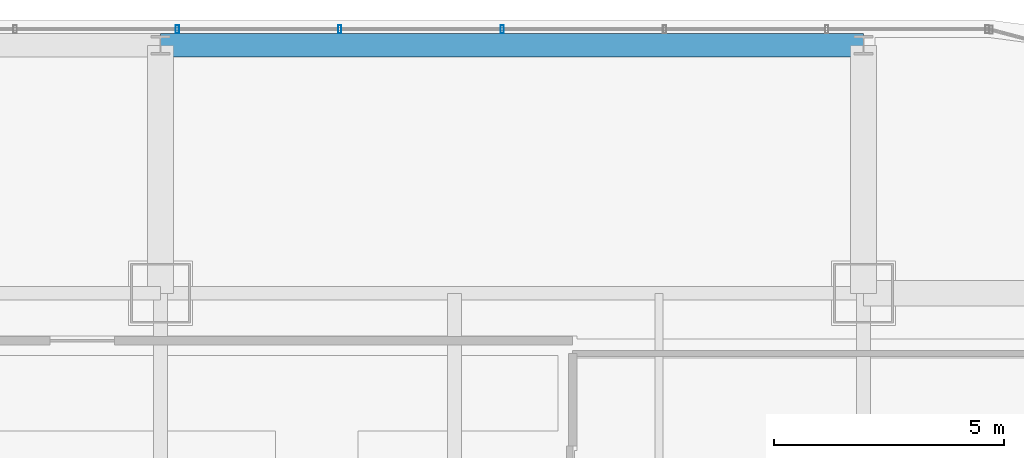
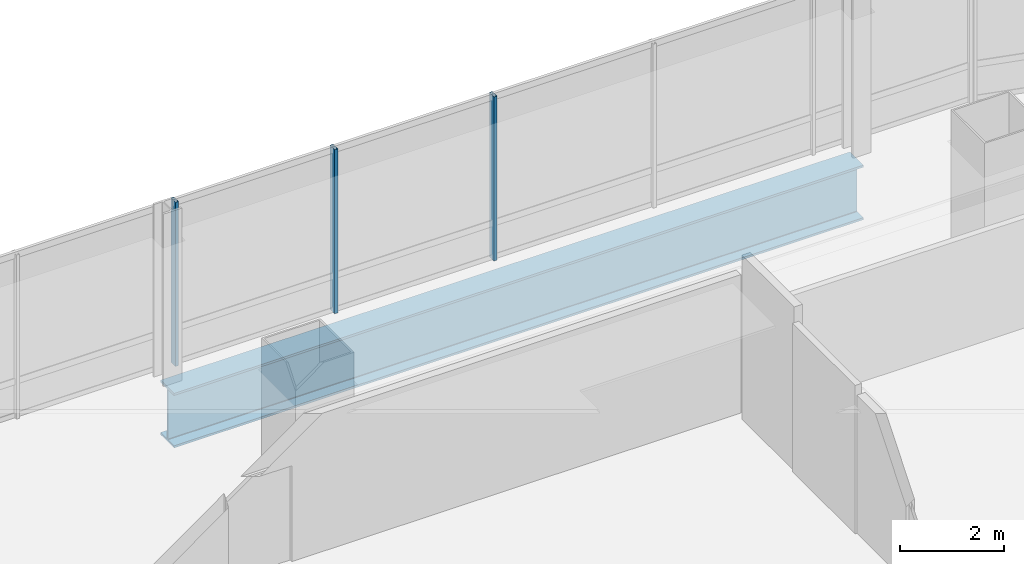
# One storey, part 29 of 42: 3 members, 1 beam, 1 element without a shape of its own.
"""IFC4 building model written with IfcOpenShell, lengths in metres."""

import ifcopenshell
import ifcopenshell.guid

model = None  # the IFC model being written
_history = None  # IfcOwnerHistory: only IFC2X3 demands one
_inside = {}  # id of a spatial element -> (the spatial element, [elements in it])
_under = {}  # id of a project, library or spatial element -> (it, [spatial elements below it])
_declared = {}  # id of a project -> (the project, [libraries it declares])
_typed = {}  # id of a type object -> (the type object, [elements of that type])
_made_of = {}  # id of a material, layer set ... -> (it, [elements and type objects made of it])


def new_model(schema):
    """Start an empty IFC model of exactly this schema.

    Asked for "IFC4X3", IfcOpenShell would pick the latest addendum, in which some entities
    have other attributes; the version numbers below select the first issue.
    IFC2X3 requires an IfcOwnerHistory on every rooted entity: one is made here for all.
    """
    global model, _history
    if schema == "IFC4X3":
        model = ifcopenshell.file(schema_version=(4, 3, 0, 0))
    else:
        model = ifcopenshell.file(schema=schema)
    _inside.clear()
    _under.clear()
    _declared.clear()
    _typed.clear()
    _made_of.clear()
    _history = None
    if model.schema == "IFC2X3":
        org = make("IfcOrganization", Name="unknown")
        user = make(
            "IfcPersonAndOrganization",
            ThePerson=make("IfcPerson", FamilyName="unknown"),
            TheOrganization=org,
        )
        app = make(
            "IfcApplication",
            ApplicationDeveloper=org,
            Version="unknown",
            ApplicationFullName="unknown",
            ApplicationIdentifier="unknown",
        )
        _history = make(
            "IfcOwnerHistory",
            OwningUser=user,
            OwningApplication=app,
            ChangeAction="ADDED",
            CreationDate=0,
        )
    return model


def make(cls, **values):
    """One entity of the class cls with the attributes given. An attribute that is None is left unset."""
    return model.create_entity(
        cls, **{name: value for name, value in values.items() if value is not None}
    )


def rooted(cls, **values):
    """An entity with a GlobalId (a new one), such as an element, a storey or a relation."""
    return make(cls, GlobalId=ifcopenshell.guid.new(), OwnerHistory=_history, **values)


def si_unit(unit_type, name, prefix=None):
    """IfcSIUnit, for example si_unit("LENGTHUNIT", "METRE", prefix="MILLI")."""
    return make("IfcSIUnit", UnitType=unit_type, Prefix=prefix, Name=name)


def assignment(units):
    """IfcUnitAssignment: the units of a project."""
    return None if units is None else make("IfcUnitAssignment", Units=units)


def point(xyz):
    """IfcCartesianPoint."""
    return None if xyz is None else make("IfcCartesianPoint", Coordinates=xyz)


def direction(xyz):
    """IfcDirection."""
    return None if xyz is None else make("IfcDirection", DirectionRatios=xyz)


def frame(location, z_axis=None, x_axis=None):
    """IfcAxis2Placement3D, a coordinate frame: its origin and axes. An axis left out is left unset."""
    return make(
        "IfcAxis2Placement3D",
        Location=point(location),
        Axis=direction(z_axis),
        RefDirection=direction(x_axis),
    )


def frame_2d(location, x_axis=None):
    """IfcAxis2Placement2D, a coordinate frame in the plane: its origin and x axis."""
    return make(
        "IfcAxis2Placement2D", Location=point(location), RefDirection=direction(x_axis)
    )


def origin():
    """The frame at (0, 0, 0) with its axes left unset."""
    return frame((0.0, 0.0, 0.0))


def origin_2d():
    """The frame at (0, 0) in the plane with its x axis left unset."""
    return frame_2d((0.0, 0.0))


def place(relative_to, where):
    """IfcLocalPlacement: puts the frame where relative to a parent placement (None: the world)."""
    return make(
        "IfcLocalPlacement", PlacementRelTo=relative_to, RelativePlacement=where
    )


def context(
    kind, dimensions, precision=None, world=None, true_north=None, identifier=None
):
    """IfcGeometricRepresentationContext, for example the 3D "Model" context."""
    return make(
        "IfcGeometricRepresentationContext",
        ContextIdentifier=identifier,
        ContextType=kind,
        CoordinateSpaceDimension=dimensions,
        Precision=precision,
        WorldCoordinateSystem=world,
        TrueNorth=true_north,
    )


def subcontext(parent, identifier, kind, view, scale=None):
    """IfcGeometricRepresentationSubContext, for example "Body" below "Model"."""
    return make(
        "IfcGeometricRepresentationSubContext",
        ContextIdentifier=identifier,
        ContextType=kind,
        ParentContext=parent,
        TargetScale=scale,
        TargetView=view,
    )


def project(units=None, contexts=None):
    """IfcProject with its units and contexts."""
    return rooted(
        "IfcProject",
        Name="project",
        RepresentationContexts=contexts,
        UnitsInContext=assignment(units),
    )


def spatial(cls, under=None, at=None, **own):
    """A site, building, storey or space (cls), placed at a placement, below another one or the project."""
    s = rooted(cls, ObjectPlacement=at, **own)
    if under is not None:
        _under.setdefault(under.id(), (under, []))[1].append(s)
    return s


def profile(cls, at=None, kind="AREA", **sizes):
    """A parametric profile (cls). Its sizes go by their IFC names, for example OverallWidth=200.0."""
    return make(cls, ProfileType=kind, Position=at, **sizes)


def hollow_rectangle(**sizes):
    """IfcRectangleHollowProfileDef."""
    return profile("IfcRectangleHollowProfileDef", **sizes)


def i_section(**sizes):
    """IfcIShapeProfileDef."""
    return profile("IfcIShapeProfileDef", **sizes)


def extrude(swept, where, along, depth):
    """IfcExtrudedAreaSolid: the profile swept, set in the frame where, extruded along a direction by depth."""
    return make(
        "IfcExtrudedAreaSolid",
        SweptArea=swept,
        Position=where,
        ExtrudedDirection=direction(along),
        Depth=depth,
    )


def shape(context_of_items, identifier, shape_type, items):
    """IfcShapeRepresentation: the items that make up one representation, for example the "Body"."""
    return make(
        "IfcShapeRepresentation",
        ContextOfItems=context_of_items,
        RepresentationIdentifier=identifier,
        RepresentationType=shape_type,
        Items=items,
    )


def material(Name=None, Category=None):
    """IfcMaterial."""
    return make("IfcMaterial", Name=Name, Category=Category)


def material_profile(
    of_material, cross_section, Name=None, Category=None, Priority=None
):
    """IfcMaterialProfile: a cross section and its material."""
    return make(
        "IfcMaterialProfile",
        Name=Name,
        Material=of_material,
        Profile=cross_section,
        Priority=Priority,
        Category=Category,
    )


def profile_set(profiles, Name=None, composite=None):
    """IfcMaterialProfileSet."""
    return make(
        "IfcMaterialProfileSet",
        Name=Name,
        MaterialProfiles=profiles,
        CompositeProfile=composite,
    )


def made_of(thing, what):
    """Note that an element or type object is made of a material, layer set ...; save() writes the relation."""
    if what is not None:
        _made_of.setdefault(what.id(), (what, []))[1].append(thing)
    return thing


def type_object(cls, material=None, **own):
    """A type object (cls), such as IfcWallType, which elements share."""
    return made_of(rooted(cls, **own), material)


def element(
    cls,
    number,
    at=None,
    inside=None,
    cuts=None,
    type_object=None,
    material=None,
    context=None,
    identifier="Body",
    shape_type=None,
    held_by="IfcProductDefinitionShape",
    body=None,
    shapes=None,
    **own,
):
    """One element of the class cls, such as IfcWall. Its Tag is "e" and its number.

    at: its placement. inside: the storey or other place that contains it. cuts: it is an
    opening in that element (IfcRelVoidsElement). A single representation is given by context,
    identifier, shape_type and body (its items); several are given by shapes. held_by: the class
    of the entity that holds the representations. save() writes the other relations.
    """
    e = rooted(cls, Tag="e%d" % number, ObjectPlacement=at, **own)
    if body is not None:
        shapes = [shape(context, identifier, shape_type, body)]
    if shapes is not None:
        e.Representation = make(held_by, Representations=shapes)
    if inside is not None:
        _inside.setdefault(inside.id(), (inside, []))[1].append(e)
    if cuts is not None:
        rooted(
            "IfcRelVoidsElement", RelatingBuildingElement=cuts, RelatedOpeningElement=e
        )
    if type_object is not None:
        _typed.setdefault(type_object.id(), (type_object, []))[1].append(e)
    return made_of(e, material)


def aggregate(whole, parts):
    """IfcRelAggregates: a whole, such as a stair, and the parts it consists of."""
    return rooted("IfcRelAggregates", RelatingObject=whole, RelatedObjects=parts)


def save(model, path):
    """Write the relations noted so far, then the file.

    IfcRelAggregates (storeys below a building ...), IfcRelContainedInSpatialStructure (elements
    in a storey), IfcRelDefinesByType, IfcRelAssociatesMaterial and IfcRelDeclares: one each for
    every whole, place, type object, material and project.
    """
    for whole, parts in _under.values():
        aggregate(whole, parts)
    for where, things in _inside.values():
        rooted(
            "IfcRelContainedInSpatialStructure",
            RelatedElements=things,
            RelatingStructure=where,
        )
    for kind, things in _typed.values():
        rooted("IfcRelDefinesByType", RelatedObjects=things, RelatingType=kind)
    for what, things in _made_of.values():
        rooted("IfcRelAssociatesMaterial", RelatedObjects=things, RelatingMaterial=what)
    for by, libraries in _declared.values():
        rooted("IfcRelDeclares", RelatingContext=by, RelatedDefinitions=libraries)
    model.write(path)


model = new_model("IFC4")

# Units and contexts
model_context = context("Model", 3, precision=1e-05, world=origin(), true_north=direction((0.0, 1.0)))
body_context = subcontext(model_context, "Body", "Model", "MODEL_VIEW")
ifc_project = project(units=[si_unit("LENGTHUNIT", "METRE"), si_unit("AREAUNIT", "SQUARE_METRE"), si_unit("VOLUMEUNIT", "CUBIC_METRE"), si_unit("PLANEANGLEUNIT", "RADIAN"), si_unit("MASSUNIT", "GRAM", prefix="KILO")], contexts=[model_context])

# Site, building, storey
site_placement = place(None, origin())
site = spatial("IfcSite", under=ifc_project, at=site_placement, CompositionType="ELEMENT")
building_placement = place(site_placement, origin())
building = spatial("IfcBuilding", under=site, at=building_placement, Name="Punatoya Terracotta Tower", CompositionType="ELEMENT")
storey_placement = place(building_placement, frame((0.0, 0.0, 263.550048828125)))
storey = spatial("IfcBuildingStorey", under=building, at=storey_placement, Name="L62", CompositionType="ELEMENT", Elevation=263.550048828125)

# Beam
ifc_material_1 = material(Name="Steel S460", Category="steel")
ifc_material_profile_1 = material_profile(ifc_material_1, i_section(OverallWidth=0.52001953125, OverallDepth=1.280029296875, WebThickness=0.031982421875, FlangeThickness=0.050048828125, FilletRadius=0.01806640625, at=origin_2d()))
ifc_profile_set_1 = profile_set([ifc_material_profile_1], Name="Steel S460")
beam_type = type_object("IfcBeamType", Name="BM-TG-NCK", PredefinedType="BEAM", material=ifc_profile_set_1)
beam_placement = place(storey_placement, frame((3.800048828125, 22.89990234375, -0.840087890625), z_axis=(1.0, 0.0, 0.0), x_axis=(0.0, 1.0, 0.0)))
element("IfcBeam", 1, at=beam_placement, inside=storey, type_object=beam_type, Name="BM-L62-PER-N3", PredefinedType="BEAM", context=body_context, shape_type="SweptSolid", body=[
    extrude(i_section(OverallWidth=0.52001953125, OverallDepth=1.280029296875, WebThickness=0.031982421875, FlangeThickness=0.050048828125, FilletRadius=0.01806640625, at=origin_2d()), origin(), (0.0, 0.0, 1.0), 15.300048828125),
])

# Curtain wall, members
ifc_material_2 = material(Name="Aluminium 6063-T6 + Double Low-E Glass", Category="aluminium")
curtain_wall_type = type_object("IfcCurtainWallType", Name="CW-M3", PredefinedType="NOTDEFINED", material=ifc_material_2)
curtain_wall_placement = place(storey_placement, origin())
curtain_wall = element("IfcCurtainWall", 2, at=curtain_wall_placement, inside=storey, type_object=curtain_wall_type, Name="L62 Curtain Wall CW-L62-N09-1", PredefinedType="NOTDEFINED")
ifc_material_3 = material(Name="Aluminium 6063-T6", Category="aluminium")
ifc_material_profile_2 = material_profile(ifc_material_3, hollow_rectangle(XDim=0.070068359375, YDim=0.179931640625, WallThickness=0.00390625, at=origin_2d()))
ifc_profile_set_2 = profile_set([ifc_material_profile_2], Name="Aluminium 6063-T6")
member_type = type_object("IfcMemberType", Name="CW-MUL-M3", PredefinedType="MULLION", material=ifc_profile_set_2)
member_1_placement = place(storey_placement, frame((11.235107421875, 23.25, 0.0), z_axis=(0.0, 0.0, 1.0), x_axis=(1.0, 0.0, 0.0)))
member_1 = element("IfcMember", 3, at=member_1_placement, type_object=member_type, Name="CW-L62-N09-1 Mullion 03", PredefinedType="MULLION", context=body_context, shape_type="SweptSolid", body=[
    extrude(hollow_rectangle(XDim=0.070068359375, YDim=0.179931640625, WallThickness=0.00390625, at=origin_2d()), origin(), (0.0, 0.0, 1.0), 3.849853515625),
])
member_2_placement = place(storey_placement, frame((7.700927734375, 23.25, 0.0), z_axis=(0.0, 0.0, 1.0), x_axis=(1.0, 0.0, 0.0)))
member_2 = element("IfcMember", 4, at=member_2_placement, type_object=member_type, Name="CW-L62-N09-1 Mullion 04", PredefinedType="MULLION", context=body_context, shape_type="SweptSolid", body=[
    extrude(hollow_rectangle(XDim=0.070068359375, YDim=0.179931640625, WallThickness=0.00390625, at=origin_2d()), origin(), (0.0, 0.0, 1.0), 3.849853515625),
])
member_3_placement = place(storey_placement, frame((4.1669921875, 23.25, 0.0), z_axis=(0.0, 0.0, 1.0), x_axis=(1.0, 0.0, 0.0)))
member_3 = element("IfcMember", 5, at=member_3_placement, type_object=member_type, Name="CW-L62-N09-1 Mullion 05", PredefinedType="MULLION", context=body_context, shape_type="SweptSolid", body=[
    extrude(hollow_rectangle(XDim=0.070068359375, YDim=0.179931640625, WallThickness=0.00390625, at=origin_2d()), origin(), (0.0, 0.0, 1.0), 3.849853515625),
])
aggregate(curtain_wall, [member_1, member_2, member_3])

save(model, "model.ifc")
